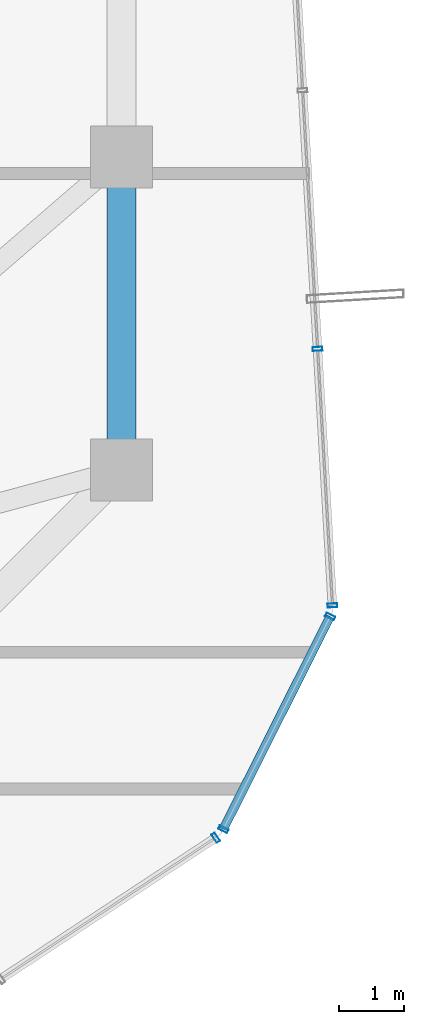
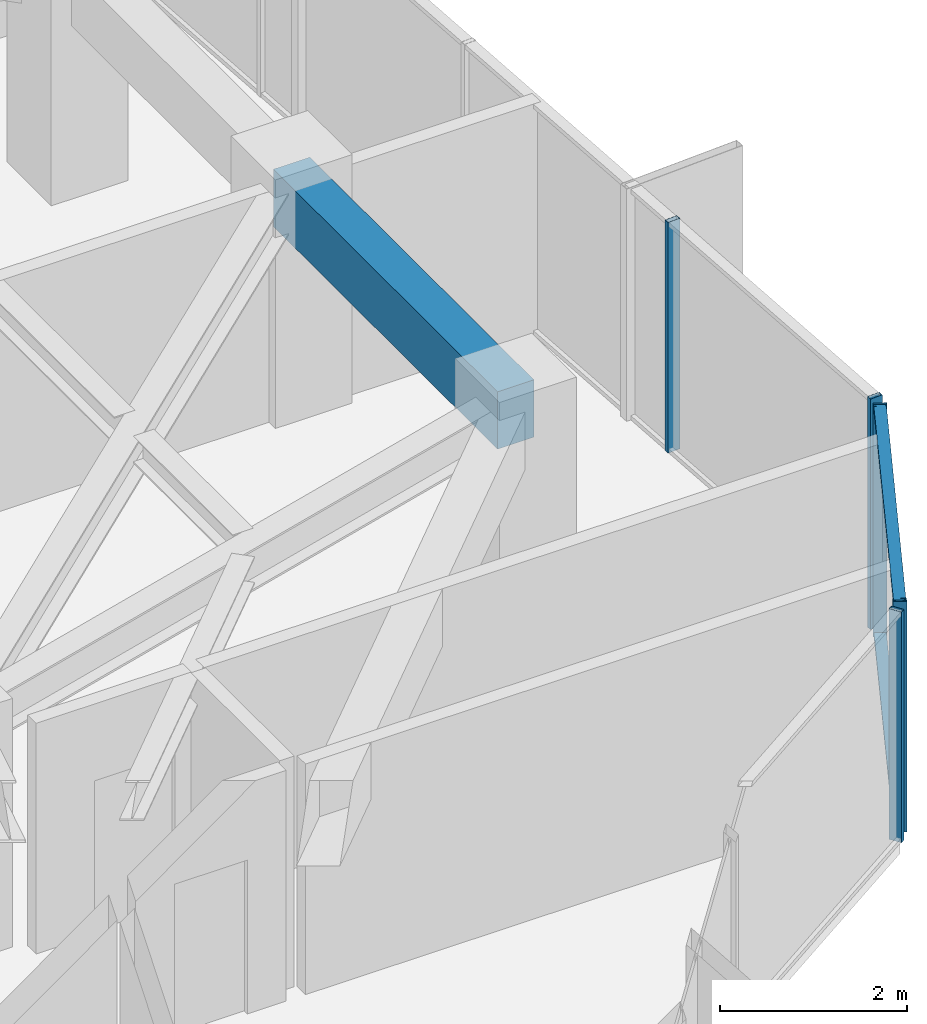
# One storey, part 18 of 33: 7 members, 1 beam, 3 elements without a shape of their own.
"""IFC4 building model written with IfcOpenShell, lengths in metres."""

import ifcopenshell
import ifcopenshell.guid

model = None  # the IFC model being written
_history = None  # IfcOwnerHistory: only IFC2X3 demands one
_inside = {}  # id of a spatial element -> (the spatial element, [elements in it])
_under = {}  # id of a project, library or spatial element -> (it, [spatial elements below it])
_declared = {}  # id of a project -> (the project, [libraries it declares])
_typed = {}  # id of a type object -> (the type object, [elements of that type])
_made_of = {}  # id of a material, layer set ... -> (it, [elements and type objects made of it])


def new_model(schema):
    """Start an empty IFC model of exactly this schema.

    Asked for "IFC4X3", IfcOpenShell would pick the latest addendum, in which some entities
    have other attributes; the version numbers below select the first issue.
    IFC2X3 requires an IfcOwnerHistory on every rooted entity: one is made here for all.
    """
    global model, _history
    if schema == "IFC4X3":
        model = ifcopenshell.file(schema_version=(4, 3, 0, 0))
    else:
        model = ifcopenshell.file(schema=schema)
    _inside.clear()
    _under.clear()
    _declared.clear()
    _typed.clear()
    _made_of.clear()
    _history = None
    if model.schema == "IFC2X3":
        org = make("IfcOrganization", Name="unknown")
        user = make(
            "IfcPersonAndOrganization",
            ThePerson=make("IfcPerson", FamilyName="unknown"),
            TheOrganization=org,
        )
        app = make(
            "IfcApplication",
            ApplicationDeveloper=org,
            Version="unknown",
            ApplicationFullName="unknown",
            ApplicationIdentifier="unknown",
        )
        _history = make(
            "IfcOwnerHistory",
            OwningUser=user,
            OwningApplication=app,
            ChangeAction="ADDED",
            CreationDate=0,
        )
    return model


def make(cls, **values):
    """One entity of the class cls with the attributes given. An attribute that is None is left unset."""
    return model.create_entity(
        cls, **{name: value for name, value in values.items() if value is not None}
    )


def rooted(cls, **values):
    """An entity with a GlobalId (a new one), such as an element, a storey or a relation."""
    return make(cls, GlobalId=ifcopenshell.guid.new(), OwnerHistory=_history, **values)


def si_unit(unit_type, name, prefix=None):
    """IfcSIUnit, for example si_unit("LENGTHUNIT", "METRE", prefix="MILLI")."""
    return make("IfcSIUnit", UnitType=unit_type, Prefix=prefix, Name=name)


def assignment(units):
    """IfcUnitAssignment: the units of a project."""
    return None if units is None else make("IfcUnitAssignment", Units=units)


def point(xyz):
    """IfcCartesianPoint."""
    return None if xyz is None else make("IfcCartesianPoint", Coordinates=xyz)


def direction(xyz):
    """IfcDirection."""
    return None if xyz is None else make("IfcDirection", DirectionRatios=xyz)


def frame(location, z_axis=None, x_axis=None):
    """IfcAxis2Placement3D, a coordinate frame: its origin and axes. An axis left out is left unset."""
    return make(
        "IfcAxis2Placement3D",
        Location=point(location),
        Axis=direction(z_axis),
        RefDirection=direction(x_axis),
    )


def frame_2d(location, x_axis=None):
    """IfcAxis2Placement2D, a coordinate frame in the plane: its origin and x axis."""
    return make(
        "IfcAxis2Placement2D", Location=point(location), RefDirection=direction(x_axis)
    )


def origin():
    """The frame at (0, 0, 0) with its axes left unset."""
    return frame((0.0, 0.0, 0.0))


def origin_2d():
    """The frame at (0, 0) in the plane with its x axis left unset."""
    return frame_2d((0.0, 0.0))


def place(relative_to, where):
    """IfcLocalPlacement: puts the frame where relative to a parent placement (None: the world)."""
    return make(
        "IfcLocalPlacement", PlacementRelTo=relative_to, RelativePlacement=where
    )


def context(
    kind, dimensions, precision=None, world=None, true_north=None, identifier=None
):
    """IfcGeometricRepresentationContext, for example the 3D "Model" context."""
    return make(
        "IfcGeometricRepresentationContext",
        ContextIdentifier=identifier,
        ContextType=kind,
        CoordinateSpaceDimension=dimensions,
        Precision=precision,
        WorldCoordinateSystem=world,
        TrueNorth=true_north,
    )


def subcontext(parent, identifier, kind, view, scale=None):
    """IfcGeometricRepresentationSubContext, for example "Body" below "Model"."""
    return make(
        "IfcGeometricRepresentationSubContext",
        ContextIdentifier=identifier,
        ContextType=kind,
        ParentContext=parent,
        TargetScale=scale,
        TargetView=view,
    )


def project(units=None, contexts=None):
    """IfcProject with its units and contexts."""
    return rooted(
        "IfcProject",
        Name="project",
        RepresentationContexts=contexts,
        UnitsInContext=assignment(units),
    )


def spatial(cls, under=None, at=None, **own):
    """A site, building, storey or space (cls), placed at a placement, below another one or the project."""
    s = rooted(cls, ObjectPlacement=at, **own)
    if under is not None:
        _under.setdefault(under.id(), (under, []))[1].append(s)
    return s


def profile(cls, at=None, kind="AREA", **sizes):
    """A parametric profile (cls). Its sizes go by their IFC names, for example OverallWidth=200.0."""
    return make(cls, ProfileType=kind, Position=at, **sizes)


def rectangle(**sizes):
    """IfcRectangleProfileDef."""
    return profile("IfcRectangleProfileDef", **sizes)


def hollow_rectangle(**sizes):
    """IfcRectangleHollowProfileDef."""
    return profile("IfcRectangleHollowProfileDef", **sizes)


def extrude(swept, where, along, depth):
    """IfcExtrudedAreaSolid: the profile swept, set in the frame where, extruded along a direction by depth."""
    return make(
        "IfcExtrudedAreaSolid",
        SweptArea=swept,
        Position=where,
        ExtrudedDirection=direction(along),
        Depth=depth,
    )


def shape(context_of_items, identifier, shape_type, items):
    """IfcShapeRepresentation: the items that make up one representation, for example the "Body"."""
    return make(
        "IfcShapeRepresentation",
        ContextOfItems=context_of_items,
        RepresentationIdentifier=identifier,
        RepresentationType=shape_type,
        Items=items,
    )


def source(mapping_origin, context_of_items, identifier, shape_type, items):
    """IfcRepresentationMap: a shape defined once, which mapped items show again and again."""
    return make(
        "IfcRepresentationMap",
        MappingOrigin=mapping_origin,
        MappedRepresentation=shape(context_of_items, identifier, shape_type, items),
    )


def transform(
    local_origin,
    x_axis=None,
    y_axis=None,
    z_axis=None,
    scale=None,
    scale2=None,
    scale3=None,
    uniform=True,
):
    """IfcCartesianTransformationOperator3D, or its non-uniform kind. x_axis, y_axis, z_axis: its Axis1, 2, 3."""
    if uniform:
        return make(
            "IfcCartesianTransformationOperator3D",
            Axis1=direction(x_axis),
            Axis2=direction(y_axis),
            LocalOrigin=point(local_origin),
            Scale=scale,
            Axis3=direction(z_axis),
        )
    return make(
        "IfcCartesianTransformationOperator3DnonUniform",
        Axis1=direction(x_axis),
        Axis2=direction(y_axis),
        LocalOrigin=point(local_origin),
        Scale=scale,
        Axis3=direction(z_axis),
        Scale2=scale2,
        Scale3=scale3,
    )


def mapped(mapping_source, mapping_target):
    """IfcMappedItem: shows the shape of a source again, moved by a transform."""
    return make(
        "IfcMappedItem", MappingSource=mapping_source, MappingTarget=mapping_target
    )


def material(Name=None, Category=None):
    """IfcMaterial."""
    return make("IfcMaterial", Name=Name, Category=Category)


def layer(
    of_material, thickness, ventilated=None, Name=None, Category=None, Priority=None
):
    """IfcMaterialLayer: one layer of a wall or slab, of a material (None: an air gap)."""
    return make(
        "IfcMaterialLayer",
        Material=of_material,
        LayerThickness=thickness,
        IsVentilated=ventilated,
        Name=Name,
        Category=Category,
        Priority=Priority,
    )


def layer_set(layers, Name=None):
    """IfcMaterialLayerSet."""
    return make("IfcMaterialLayerSet", MaterialLayers=layers, LayerSetName=Name)


def material_profile(
    of_material, cross_section, Name=None, Category=None, Priority=None
):
    """IfcMaterialProfile: a cross section and its material."""
    return make(
        "IfcMaterialProfile",
        Name=Name,
        Material=of_material,
        Profile=cross_section,
        Priority=Priority,
        Category=Category,
    )


def profile_set(profiles, Name=None, composite=None):
    """IfcMaterialProfileSet."""
    return make(
        "IfcMaterialProfileSet",
        Name=Name,
        MaterialProfiles=profiles,
        CompositeProfile=composite,
    )


def made_of(thing, what):
    """Note that an element or type object is made of a material, layer set ...; save() writes the relation."""
    if what is not None:
        _made_of.setdefault(what.id(), (what, []))[1].append(thing)
    return thing


def type_object(cls, material=None, **own):
    """A type object (cls), such as IfcWallType, which elements share."""
    return made_of(rooted(cls, **own), material)


def element(
    cls,
    number,
    at=None,
    inside=None,
    cuts=None,
    type_object=None,
    material=None,
    context=None,
    identifier="Body",
    shape_type=None,
    held_by="IfcProductDefinitionShape",
    body=None,
    shapes=None,
    **own,
):
    """One element of the class cls, such as IfcWall. Its Tag is "e" and its number.

    at: its placement. inside: the storey or other place that contains it. cuts: it is an
    opening in that element (IfcRelVoidsElement). A single representation is given by context,
    identifier, shape_type and body (its items); several are given by shapes. held_by: the class
    of the entity that holds the representations. save() writes the other relations.
    """
    e = rooted(cls, Tag="e%d" % number, ObjectPlacement=at, **own)
    if body is not None:
        shapes = [shape(context, identifier, shape_type, body)]
    if shapes is not None:
        e.Representation = make(held_by, Representations=shapes)
    if inside is not None:
        _inside.setdefault(inside.id(), (inside, []))[1].append(e)
    if cuts is not None:
        rooted(
            "IfcRelVoidsElement", RelatingBuildingElement=cuts, RelatedOpeningElement=e
        )
    if type_object is not None:
        _typed.setdefault(type_object.id(), (type_object, []))[1].append(e)
    return made_of(e, material)


def aggregate(whole, parts):
    """IfcRelAggregates: a whole, such as a stair, and the parts it consists of."""
    return rooted("IfcRelAggregates", RelatingObject=whole, RelatedObjects=parts)


def save(model, path):
    """Write the relations noted so far, then the file.

    IfcRelAggregates (storeys below a building ...), IfcRelContainedInSpatialStructure (elements
    in a storey), IfcRelDefinesByType, IfcRelAssociatesMaterial and IfcRelDeclares: one each for
    every whole, place, type object, material and project.
    """
    for whole, parts in _under.values():
        aggregate(whole, parts)
    for where, things in _inside.values():
        rooted(
            "IfcRelContainedInSpatialStructure",
            RelatedElements=things,
            RelatingStructure=where,
        )
    for kind, things in _typed.values():
        rooted("IfcRelDefinesByType", RelatedObjects=things, RelatingType=kind)
    for what, things in _made_of.values():
        rooted("IfcRelAssociatesMaterial", RelatedObjects=things, RelatingMaterial=what)
    for by, libraries in _declared.values():
        rooted("IfcRelDeclares", RelatingContext=by, RelatedDefinitions=libraries)
    model.write(path)


model = new_model("IFC4")

# Units and contexts
model_context = context("Model", 3, precision=1e-05, world=origin(), true_north=direction((0.0, 1.0)))
body_context = subcontext(model_context, "Body", "Model", "MODEL_VIEW")
ifc_project = project(units=[si_unit("LENGTHUNIT", "METRE"), si_unit("AREAUNIT", "SQUARE_METRE"), si_unit("VOLUMEUNIT", "CUBIC_METRE"), si_unit("PLANEANGLEUNIT", "RADIAN"), si_unit("MASSUNIT", "GRAM", prefix="KILO")], contexts=[model_context])

# Site, building, storey
site_placement = place(None, origin())
site = spatial("IfcSite", under=ifc_project, at=site_placement, CompositionType="ELEMENT")
building_placement = place(site_placement, origin())
building = spatial("IfcBuilding", under=site, at=building_placement, Name="Veraguas Prism Commons", CompositionType="ELEMENT")
storey_placement = place(building_placement, frame((0.0, 0.0, 195.10009765625)))
storey = spatial("IfcBuildingStorey", under=building, at=storey_placement, Name="L55", CompositionType="ELEMENT", Elevation=195.10009765625)

# Beam
ifc_material_1 = material(Name="Concrete C50/60", Category="concrete")
ifc_material_profile_1 = material_profile(ifc_material_1, rectangle(XDim=0.449951171875, YDim=0.75, at=origin_2d()), Name="RC450X750")
ifc_profile_set_1 = profile_set([ifc_material_profile_1], Name="Concrete C50/60")
beam_type = type_object("IfcBeamType", Name="Perimeter Spandrel Upper RC 450x750", PredefinedType="SPANDREL", material=ifc_profile_set_1)
beam_placement = place(storey_placement, frame((38.89990234375, 19.199951171875, 2.639892578125), z_axis=(0.0, 1.0, 0.0), x_axis=(-1.0, 0.0, 0.0)))
element("IfcBeam", 1, at=beam_placement, inside=storey, type_object=beam_type, Name="Perimeter Spandrel Beam L55-SP01", PredefinedType="SPANDREL", context=body_context, shape_type="SweptSolid", body=[
    extrude(rectangle(XDim=0.449951171875, YDim=0.75, at=origin_2d()), origin(), (0.0, 0.0, 1.0), 4.800048828125),
])

# Curtain wall, member
ifc_material_2 = material(Name="Anodised aluminium EN AW-6063 T6", Category="aluminium")
ifc_layer = layer(ifc_material_2, 0.14990234375, Name="Unitised Flush Curtain Wall Zone 3", Category="aluminium")
ifc_layer_set = layer_set([ifc_layer], Name="Anodised aluminium EN AW-6063 T6")
curtain_wall_type = type_object("IfcCurtainWallType", Name="Unitised Flush Curtain Wall Zone 3", PredefinedType="NOTDEFINED", material=ifc_layer_set)
curtain_wall_1_placement = place(storey_placement, origin())
curtain_wall_1 = element("IfcCurtainWall", 2, at=curtain_wall_1_placement, inside=storey, type_object=curtain_wall_type, Name="Tower Facade Curtain Wall L55-F5", PredefinedType="NOTDEFINED")
ifc_material_profile_2 = material_profile(ifc_material_2, hollow_rectangle(XDim=0.06005859375, YDim=0.14990234375, WallThickness=0.0029296875, at=origin_2d()), Name="AL60X150X3")
ifc_profile_set_2 = profile_set([ifc_material_profile_2], Name="Anodised aluminium EN AW-6063 T6")
member_type_1 = type_object("IfcMemberType", Name="Curtain Wall Mullion Upper AL 60x150x3", PredefinedType="MULLION", material=ifc_profile_set_2)
shared_shape_1 = source(origin(), body_context, "Body", "SweptSolid", [
    extrude(hollow_rectangle(XDim=0.06005859375, YDim=0.14990234375, WallThickness=0.0029296875, at=origin_2d()), origin(), (0.0, 0.0, 1.0), 3.014892578125),
])
member_1_placement = place(storey_placement, frame((40.34765625, 13.55224609375, 0.0), z_axis=(0.0, 0.0, 1.0), x_axis=(0.835621417698, 0.549305785774, 0.0)))
member_1 = element("IfcMember", 3, at=member_1_placement, type_object=member_type_1, Name="CW-Z3 Mullion 5", PredefinedType="MULLION", context=body_context, shape_type="MappedRepresentation", body=[
    mapped(shared_shape_1, transform((0.0, 0.0, 0.0), scale=1.0)),
])
aggregate(curtain_wall_1, [member_1])

# Curtain wall, members
curtain_wall_2_placement = place(storey_placement, origin())
curtain_wall_2 = element("IfcCurtainWall", 4, at=curtain_wall_2_placement, inside=storey, type_object=curtain_wall_type, Name="Tower Facade Curtain Wall L55-F6", PredefinedType="NOTDEFINED")
member_2_placement = place(storey_placement, frame((42.13916015625, 17.11767578125, 0.0), z_axis=(0.0, 0.0, 1.0), x_axis=(-0.05790902568, 0.998321864303, 0.0)))
member_2 = element("IfcMember", 5, at=member_2_placement, type_object=member_type_1, Name="CW-Z3 Mullion 1", PredefinedType="MULLION", context=body_context, shape_type="MappedRepresentation", body=[
    mapped(shared_shape_1, transform((0.0, 0.0, 0.0), scale=1.0)),
])
member_3_placement = place(storey_placement, frame((41.91064453125, 21.056640625, 0.0), z_axis=(0.0, 0.0, 1.0), x_axis=(-0.05790902568, 0.998321864303, 0.0)))
member_3 = element("IfcMember", 6, at=member_3_placement, type_object=member_type_1, Name="CW-Z3 Mullion 2", PredefinedType="MULLION", context=body_context, shape_type="MappedRepresentation", body=[
    mapped(shared_shape_1, transform((0.0, 0.0, 0.0), scale=1.0)),
])
aggregate(curtain_wall_2, [member_2, member_3])

curtain_wall_3_placement = place(storey_placement, origin())
curtain_wall_3 = element("IfcCurtainWall", 7, at=curtain_wall_3_placement, inside=storey, type_object=curtain_wall_type, Name="Chamfer Curtain Wall L55-C6", PredefinedType="NOTDEFINED")
member_4_placement = place(storey_placement, frame((40.463134765625, 13.68212890625, 0.0), z_axis=(0.0, 0.0, 1.0), x_axis=(0.44900088779, 0.893531310455, 0.0)))
member_4 = element("IfcMember", 8, at=member_4_placement, type_object=member_type_1, Name="CW-Z3 Mullion 1", PredefinedType="MULLION", context=body_context, shape_type="MappedRepresentation", body=[
    mapped(shared_shape_1, transform((0.0, 0.0, 0.0), scale=1.0)),
])
member_5_placement = place(storey_placement, frame((42.10400390625, 16.947509765625, 0.0), z_axis=(0.0, 0.0, 1.0), x_axis=(0.44900088779, 0.893531310455, 0.0)))
member_5 = element("IfcMember", 9, at=member_5_placement, type_object=member_type_1, Name="CW-Z3 Mullion 2", PredefinedType="MULLION", context=body_context, shape_type="MappedRepresentation", body=[
    mapped(shared_shape_1, transform((0.0, 0.0, 0.0), scale=1.0)),
])
ifc_material_profile_3 = material_profile(ifc_material_2, hollow_rectangle(XDim=0.054931640625, YDim=0.135009765625, WallThickness=0.0029296875, at=origin_2d()), Name="AL55X135X3")
ifc_profile_set_3 = profile_set([ifc_material_profile_3], Name="Anodised aluminium EN AW-6063 T6")
member_type_2 = type_object("IfcMemberType", Name="Curtain Wall Transom Standard AL 55x135x3", PredefinedType="USERDEFINED", material=ifc_profile_set_3)
shared_shape_2 = source(origin(), body_context, "Body", "SweptSolid", [
    extrude(hollow_rectangle(XDim=0.054931640625, YDim=0.135009765625, WallThickness=0.0029296875, at=origin_2d()), origin(), (0.0, 0.0, 1.0), 3.654541015625),
])
member_6_placement = place(storey_placement, frame((40.463134765625, 13.68212890625, 0.02734375), z_axis=(0.449003100222, 0.893530198701, 0.0), x_axis=(0.0, 0.0, 1.0)))
member_6 = element("IfcMember", 10, at=member_6_placement, type_object=member_type_2, Name="CW-Z3 Transom 1", ObjectType="TRANSOM", PredefinedType="USERDEFINED", context=body_context, shape_type="MappedRepresentation", body=[
    mapped(shared_shape_2, transform((0.0, 0.0, 0.0), scale=1.0)),
])
member_7_placement = place(storey_placement, frame((40.463134765625, 13.68212890625, 2.9873046875), z_axis=(0.449003100222, 0.893530198701, 0.0), x_axis=(0.0, 0.0, 1.0)))
member_7 = element("IfcMember", 11, at=member_7_placement, type_object=member_type_2, Name="CW-Z3 Transom 2", ObjectType="TRANSOM", PredefinedType="USERDEFINED", context=body_context, shape_type="MappedRepresentation", body=[
    mapped(shared_shape_2, transform((0.0, 0.0, 0.0), scale=1.0)),
])
aggregate(curtain_wall_3, [member_4, member_5, member_6, member_7])

save(model, "model.ifc")
